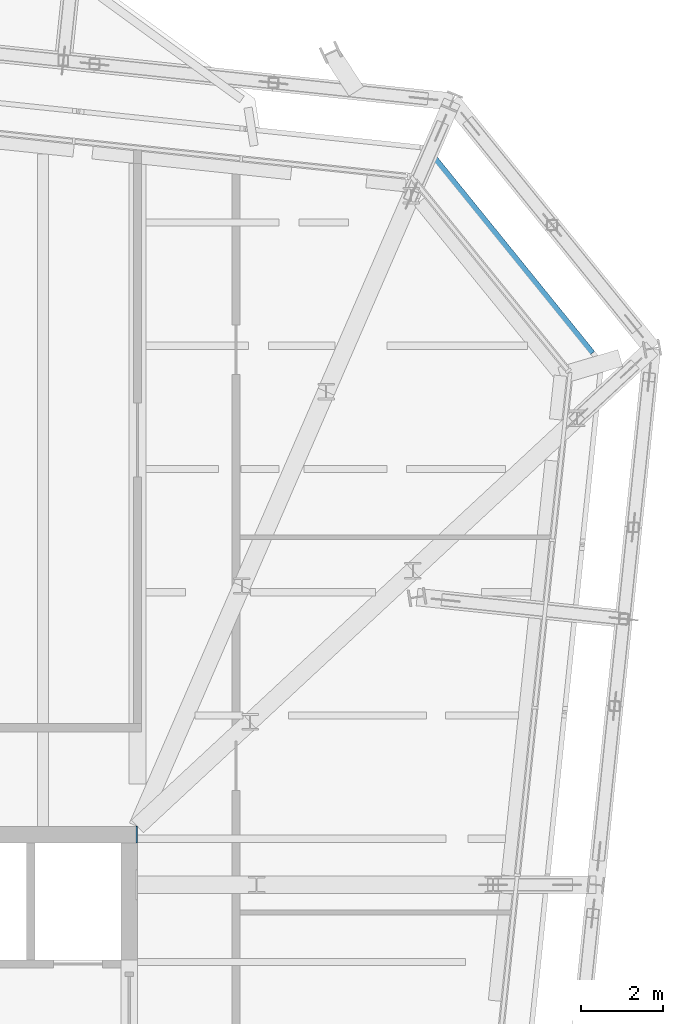
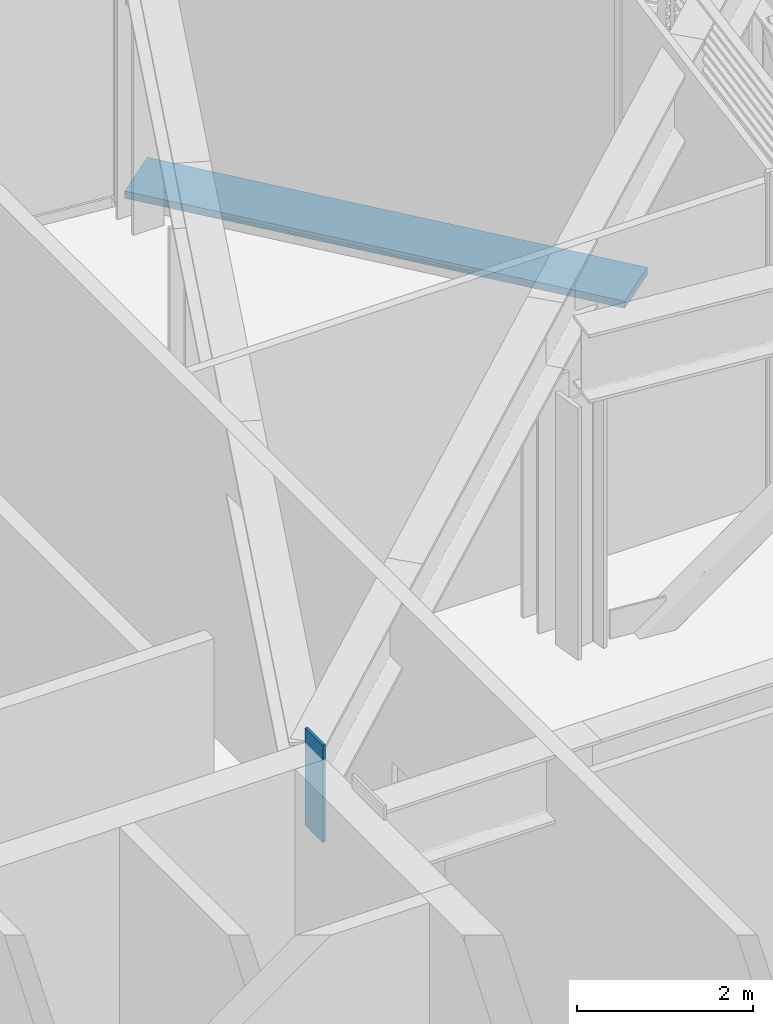
# One storey, part 28 of 36: 2 discrete accessories.
"""IFC4 building model written with IfcOpenShell, lengths in metres."""

from ifc_helpers import new_model, si_unit, direction, frame, origin, origin_2d, place, context, subcontext, project, spatial, rectangle, extrude, material, layer, layer_set, type_object, element, save


model = new_model("IFC4")

# Units and contexts
model_context = context("Model", 3, precision=1e-05, world=origin(), true_north=direction((0.0, 1.0)))
body_context = subcontext(model_context, "Body", "Model", "MODEL_VIEW")
ifc_project = project(units=[si_unit("LENGTHUNIT", "METRE"), si_unit("AREAUNIT", "SQUARE_METRE"), si_unit("VOLUMEUNIT", "CUBIC_METRE"), si_unit("PLANEANGLEUNIT", "RADIAN"), si_unit("MASSUNIT", "GRAM", prefix="KILO")], contexts=[model_context])

# Site, building, storey
site_placement = place(None, origin())
site = spatial("IfcSite", under=ifc_project, at=site_placement, CompositionType="ELEMENT")
building_placement = place(site_placement, origin())
building = spatial("IfcBuilding", under=site, at=building_placement, Name="Millrace Tower", CompositionType="ELEMENT")
storey_placement = place(building_placement, frame((0.0, 0.0, 271.39990234375)))
storey = spatial("IfcBuildingStorey", under=building, at=storey_placement, Name="L62", CompositionType="ELEMENT", Elevation=271.39990234375)

# Discrete accessories
ifc_material_1 = material(Name="Steel ASTM A572 Grade 50", Category="steel")
ifc_layer = layer(ifc_material_1, 0.034912109375)
ifc_layer_set = layer_set([ifc_layer], Name="Steel ASTM A572 Grade 50")
discrete_accessory_type_1 = type_object("IfcDiscreteAccessoryType", Name="Cast-in anchor plate 400x1350x35", PredefinedType="ANCHORPLATE", material=ifc_layer_set)
discrete_accessory_1_placement = place(storey_placement, frame((14.264892578125, 9.10009765625, 3.96630859375), z_axis=(1.0, 0.0, 0.0), x_axis=(0.0, 1.0, 0.0)))
element("IfcDiscreteAccessory", 1, at=discrete_accessory_1_placement, inside=storey, type_object=discrete_accessory_type_1, Name="Cast-in anchor plate TRS-L62-C09-T04", PredefinedType="ANCHORPLATE", context=body_context, shape_type="SweptSolid", body=[
    extrude(rectangle(XDim=0.39990234375, YDim=1.35009765625, at=origin_2d()), origin(), (0.0, 0.0, 1.0), 0.03515625),
])
ifc_material_2 = material(Name="Stainless steel ASTM A240 type 316", Category="steel")
discrete_accessory_type_2 = type_object("IfcDiscreteAccessoryType", Name="Thermally broken screen support rail", PredefinedType="BRACKET", material=ifc_material_2)
discrete_accessory_2_placement = place(storey_placement, frame((23.23681640625, 23.0048828125, 0.0), z_axis=(0.0, 0.0, 1.0), x_axis=(-0.629320278945, 0.777146052237, 0.0)))
element("IfcDiscreteAccessory", 2, at=discrete_accessory_2_placement, inside=storey, type_object=discrete_accessory_type_2, Name="Thermally broken screen support rail E-F05 L62 1", PredefinedType="BRACKET", context=body_context, shape_type="SweptSolid", body=[
    extrude(rectangle(XDim=6.0810546875, YDim=0.719970703125, at=origin_2d()), origin(), (0.0, 0.0, 1.0), 0.10009765625),
])

save(model, "model.ifc")
